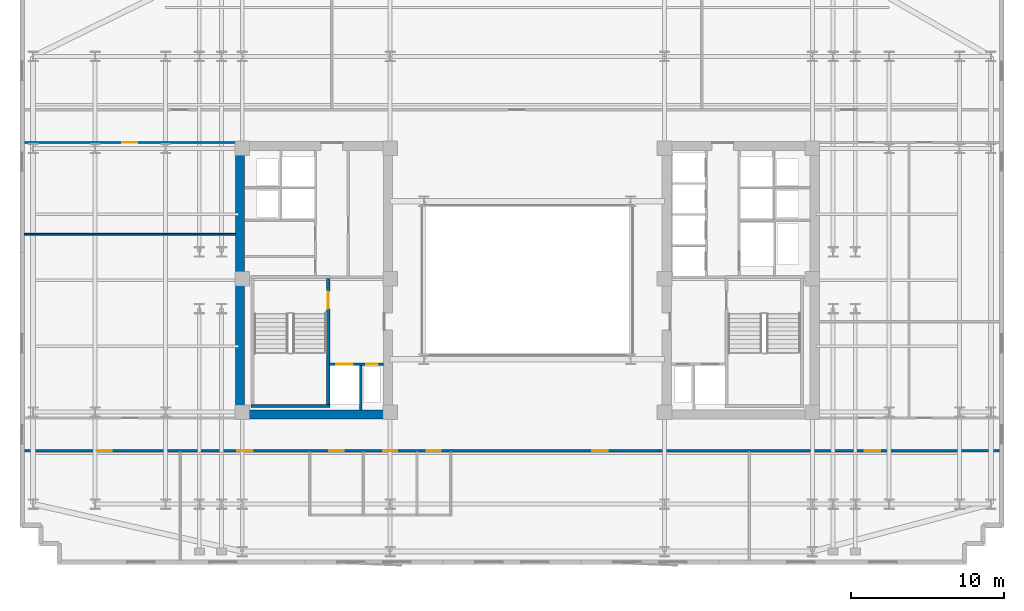
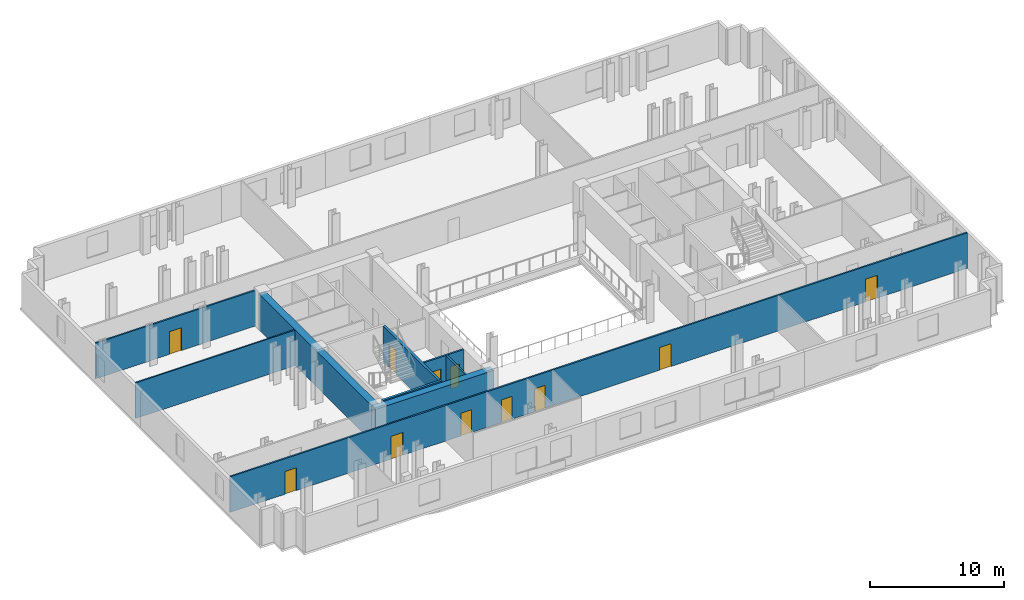
# One storey, part 4 of 10: 11 doors, 9 walls, 11 openings.
"""IFC4 building model written with IfcOpenShell, lengths in metres."""

import ifcopenshell
import ifcopenshell.guid

model = None  # the IFC model being written
_history = None  # IfcOwnerHistory: only IFC2X3 demands one
_inside = {}  # id of a spatial element -> (the spatial element, [elements in it])
_under = {}  # id of a project, library or spatial element -> (it, [spatial elements below it])
_declared = {}  # id of a project -> (the project, [libraries it declares])
_typed = {}  # id of a type object -> (the type object, [elements of that type])
_made_of = {}  # id of a material, layer set ... -> (it, [elements and type objects made of it])


def new_model(schema):
    """Start an empty IFC model of exactly this schema.

    Asked for "IFC4X3", IfcOpenShell would pick the latest addendum, in which some entities
    have other attributes; the version numbers below select the first issue.
    IFC2X3 requires an IfcOwnerHistory on every rooted entity: one is made here for all.
    """
    global model, _history
    if schema == "IFC4X3":
        model = ifcopenshell.file(schema_version=(4, 3, 0, 0))
    else:
        model = ifcopenshell.file(schema=schema)
    _inside.clear()
    _under.clear()
    _declared.clear()
    _typed.clear()
    _made_of.clear()
    _history = None
    if model.schema == "IFC2X3":
        org = make("IfcOrganization", Name="unknown")
        user = make(
            "IfcPersonAndOrganization",
            ThePerson=make("IfcPerson", FamilyName="unknown"),
            TheOrganization=org,
        )
        app = make(
            "IfcApplication",
            ApplicationDeveloper=org,
            Version="unknown",
            ApplicationFullName="unknown",
            ApplicationIdentifier="unknown",
        )
        _history = make(
            "IfcOwnerHistory",
            OwningUser=user,
            OwningApplication=app,
            ChangeAction="ADDED",
            CreationDate=0,
        )
    return model


def make(cls, **values):
    """One entity of the class cls with the attributes given. An attribute that is None is left unset."""
    return model.create_entity(
        cls, **{name: value for name, value in values.items() if value is not None}
    )


def rooted(cls, **values):
    """An entity with a GlobalId (a new one), such as an element, a storey or a relation."""
    return make(cls, GlobalId=ifcopenshell.guid.new(), OwnerHistory=_history, **values)


def si_unit(unit_type, name, prefix=None):
    """IfcSIUnit, for example si_unit("LENGTHUNIT", "METRE", prefix="MILLI")."""
    return make("IfcSIUnit", UnitType=unit_type, Prefix=prefix, Name=name)


def assignment(units):
    """IfcUnitAssignment: the units of a project."""
    return None if units is None else make("IfcUnitAssignment", Units=units)


def point(xyz):
    """IfcCartesianPoint."""
    return None if xyz is None else make("IfcCartesianPoint", Coordinates=xyz)


def direction(xyz):
    """IfcDirection."""
    return None if xyz is None else make("IfcDirection", DirectionRatios=xyz)


def frame(location, z_axis=None, x_axis=None):
    """IfcAxis2Placement3D, a coordinate frame: its origin and axes. An axis left out is left unset."""
    return make(
        "IfcAxis2Placement3D",
        Location=point(location),
        Axis=direction(z_axis),
        RefDirection=direction(x_axis),
    )


def frame_2d(location, x_axis=None):
    """IfcAxis2Placement2D, a coordinate frame in the plane: its origin and x axis."""
    return make(
        "IfcAxis2Placement2D", Location=point(location), RefDirection=direction(x_axis)
    )


def origin():
    """The frame at (0, 0, 0) with its axes left unset."""
    return frame((0.0, 0.0, 0.0))


def place(relative_to, where):
    """IfcLocalPlacement: puts the frame where relative to a parent placement (None: the world)."""
    return make(
        "IfcLocalPlacement", PlacementRelTo=relative_to, RelativePlacement=where
    )


def context(
    kind, dimensions, precision=None, world=None, true_north=None, identifier=None
):
    """IfcGeometricRepresentationContext, for example the 3D "Model" context."""
    return make(
        "IfcGeometricRepresentationContext",
        ContextIdentifier=identifier,
        ContextType=kind,
        CoordinateSpaceDimension=dimensions,
        Precision=precision,
        WorldCoordinateSystem=world,
        TrueNorth=true_north,
    )


def subcontext(parent, identifier, kind, view, scale=None):
    """IfcGeometricRepresentationSubContext, for example "Body" below "Model"."""
    return make(
        "IfcGeometricRepresentationSubContext",
        ContextIdentifier=identifier,
        ContextType=kind,
        ParentContext=parent,
        TargetScale=scale,
        TargetView=view,
    )


def project(units=None, contexts=None):
    """IfcProject with its units and contexts."""
    return rooted(
        "IfcProject",
        Name="project",
        RepresentationContexts=contexts,
        UnitsInContext=assignment(units),
    )


def spatial(cls, under=None, at=None, **own):
    """A site, building, storey or space (cls), placed at a placement, below another one or the project."""
    s = rooted(cls, ObjectPlacement=at, **own)
    if under is not None:
        _under.setdefault(under.id(), (under, []))[1].append(s)
    return s


def profile(cls, at=None, kind="AREA", **sizes):
    """A parametric profile (cls). Its sizes go by their IFC names, for example OverallWidth=200.0."""
    return make(cls, ProfileType=kind, Position=at, **sizes)


def rectangle(**sizes):
    """IfcRectangleProfileDef."""
    return profile("IfcRectangleProfileDef", **sizes)


def extrude(swept, where, along, depth):
    """IfcExtrudedAreaSolid: the profile swept, set in the frame where, extruded along a direction by depth."""
    return make(
        "IfcExtrudedAreaSolid",
        SweptArea=swept,
        Position=where,
        ExtrudedDirection=direction(along),
        Depth=depth,
    )


def shape(context_of_items, identifier, shape_type, items):
    """IfcShapeRepresentation: the items that make up one representation, for example the "Body"."""
    return make(
        "IfcShapeRepresentation",
        ContextOfItems=context_of_items,
        RepresentationIdentifier=identifier,
        RepresentationType=shape_type,
        Items=items,
    )


def material(Name=None, Category=None):
    """IfcMaterial."""
    return make("IfcMaterial", Name=Name, Category=Category)


def layer(
    of_material, thickness, ventilated=None, Name=None, Category=None, Priority=None
):
    """IfcMaterialLayer: one layer of a wall or slab, of a material (None: an air gap)."""
    return make(
        "IfcMaterialLayer",
        Material=of_material,
        LayerThickness=thickness,
        IsVentilated=ventilated,
        Name=Name,
        Category=Category,
        Priority=Priority,
    )


def layer_set(layers, Name=None):
    """IfcMaterialLayerSet."""
    return make("IfcMaterialLayerSet", MaterialLayers=layers, LayerSetName=Name)


def made_of(thing, what):
    """Note that an element or type object is made of a material, layer set ...; save() writes the relation."""
    if what is not None:
        _made_of.setdefault(what.id(), (what, []))[1].append(thing)
    return thing


def type_object(cls, material=None, **own):
    """A type object (cls), such as IfcWallType, which elements share."""
    return made_of(rooted(cls, **own), material)


def element(
    cls,
    number,
    at=None,
    inside=None,
    cuts=None,
    type_object=None,
    material=None,
    context=None,
    identifier="Body",
    shape_type=None,
    held_by="IfcProductDefinitionShape",
    body=None,
    shapes=None,
    **own,
):
    """One element of the class cls, such as IfcWall. Its Tag is "e" and its number.

    at: its placement. inside: the storey or other place that contains it. cuts: it is an
    opening in that element (IfcRelVoidsElement). A single representation is given by context,
    identifier, shape_type and body (its items); several are given by shapes. held_by: the class
    of the entity that holds the representations. save() writes the other relations.
    """
    e = rooted(cls, Tag="e%d" % number, ObjectPlacement=at, **own)
    if body is not None:
        shapes = [shape(context, identifier, shape_type, body)]
    if shapes is not None:
        e.Representation = make(held_by, Representations=shapes)
    if inside is not None:
        _inside.setdefault(inside.id(), (inside, []))[1].append(e)
    if cuts is not None:
        rooted(
            "IfcRelVoidsElement", RelatingBuildingElement=cuts, RelatedOpeningElement=e
        )
    if type_object is not None:
        _typed.setdefault(type_object.id(), (type_object, []))[1].append(e)
    return made_of(e, material)


def fill(opening, filler):
    """IfcRelFillsElement: the door or window that sits in an opening."""
    return rooted(
        "IfcRelFillsElement",
        RelatingOpeningElement=opening,
        RelatedBuildingElement=filler,
    )


def aggregate(whole, parts):
    """IfcRelAggregates: a whole, such as a stair, and the parts it consists of."""
    return rooted("IfcRelAggregates", RelatingObject=whole, RelatedObjects=parts)


def save(model, path):
    """Write the relations noted so far, then the file.

    IfcRelAggregates (storeys below a building ...), IfcRelContainedInSpatialStructure (elements
    in a storey), IfcRelDefinesByType, IfcRelAssociatesMaterial and IfcRelDeclares: one each for
    every whole, place, type object, material and project.
    """
    for whole, parts in _under.values():
        aggregate(whole, parts)
    for where, things in _inside.values():
        rooted(
            "IfcRelContainedInSpatialStructure",
            RelatedElements=things,
            RelatingStructure=where,
        )
    for kind, things in _typed.values():
        rooted("IfcRelDefinesByType", RelatedObjects=things, RelatingType=kind)
    for what, things in _made_of.values():
        rooted("IfcRelAssociatesMaterial", RelatedObjects=things, RelatingMaterial=what)
    for by, libraries in _declared.values():
        rooted("IfcRelDeclares", RelatingContext=by, RelatedDefinitions=libraries)
    model.write(path)


model = new_model("IFC4")

# Units and contexts
model_context = context("Model", 3, precision=1e-05, world=origin(), true_north=direction((0.0, 1.0)))
body_context = subcontext(model_context, "Body", "Model", "MODEL_VIEW")
ifc_project = project(units=[si_unit("LENGTHUNIT", "METRE"), si_unit("AREAUNIT", "SQUARE_METRE"), si_unit("VOLUMEUNIT", "CUBIC_METRE"), si_unit("PLANEANGLEUNIT", "RADIAN"), si_unit("MASSUNIT", "GRAM", prefix="KILO")], contexts=[model_context])

# Site, building, storey
site_placement = place(None, origin())
site = spatial("IfcSite", under=ifc_project, at=site_placement, CompositionType="ELEMENT")
building_placement = place(site_placement, origin())
building = spatial("IfcBuilding", under=site, at=building_placement, Name="Velakula Bourse", CompositionType="ELEMENT")
storey_placement = place(building_placement, frame((0.0, 0.0, 124.300048828125)))
storey = spatial("IfcBuildingStorey", under=building, at=storey_placement, Name="L33", CompositionType="ELEMENT", Elevation=124.300048828125)

# Wall, opening, door
ifc_material_1 = material(Name="Concrete M50 (fck 50 MPa)", Category="concrete")
ifc_layer_1 = layer(ifc_material_1, 0.2099609375, Name="Concrete M50 (fck 50 MPa)", Category="concrete")
ifc_layer_set_1 = layer_set([ifc_layer_1], Name="Concrete M50 (fck 50 MPa)")
wall_type_1 = type_object("IfcWallType", Name="WL-CORE-210", PredefinedType="SHEAR", material=ifc_layer_set_1)
wall_1_placement = place(storey_placement, frame((-12.9951171875, -8.10009765625, 0.0), z_axis=(0.0, 0.0, 1.0), x_axis=(0.0, 1.0, 0.0)))
wall_1 = element("IfcWall", 1, at=wall_1_placement, inside=storey, type_object=wall_type_1, Name="L33 Core W Stairwell Shear Wall IN", PredefinedType="SHEAR", context=body_context, shape_type="SweptSolid", body=[
    extrude(rectangle(XDim=8.2001953125, YDim=0.2099609375, at=frame_2d((4.10009765625, 0.0))), origin(), (0.0, 0.0, 1.0), 3.27001953125),
])
opening_1_placement = place(wall_1_placement, frame((6.25, 0.0, 0.0)))
opening_1 = element("IfcOpeningElement", 2, at=opening_1_placement, cuts=wall_1, Name="Opening D-STW1", PredefinedType="OPENING", context=body_context, shape_type="SweptSolid", body=[
    extrude(rectangle(XDim=1.10009765625, YDim=2.14990234375, at=frame_2d((0.550048828125, 1.074951171875))), frame((0.0, 0.114990234375, 0.0), z_axis=(0.0, -1.0, 0.0), x_axis=(1.0, 0.0, 0.0)), (0.0, 0.0, 1.0), 0.22998046875),
])
ifc_material_2 = material(Name="Galvanised painted hollow steel fire door", Category="steel")
door_type_1 = type_object("IfcDoorType", Name="DR-FD120-1100x2150", OperationType="NOTDEFINED", PredefinedType="DOOR", material=ifc_material_2)
door_1_placement = place(opening_1_placement, origin())
door_1 = element("IfcDoor", 3, at=door_1_placement, inside=storey, type_object=door_type_1, Name="L33 Stair ST-W1 Fire Door", OperationType="SINGLE_SWING_LEFT", OverallHeight=2.14990234375, OverallWidth=1.10009765625, PredefinedType="DOOR", context=body_context, shape_type="SweptSolid", body=[
    extrude(rectangle(XDim=1.10009765625, YDim=2.14990234375, at=frame_2d((0.550048828125, 1.074951171875))), frame((0.0, 0.02490234375, 0.0), z_axis=(0.0, -1.0, 0.0), x_axis=(1.0, 0.0, 0.0)), (0.0, 0.0, 1.0), 0.050048828125),
])
fill(opening_1, door_1)

# Walls
wall_2_placement = place(storey_placement, frame((-18.030029296875, -8.205078125, 0.0), z_axis=(0.0, 0.0, 1.0), x_axis=(1.0, 0.0, 0.0)))
element("IfcWall", 4, at=wall_2_placement, inside=storey, type_object=wall_type_1, Name="L33 Core W Stairwell Shear Wall S", PredefinedType="SHEAR", context=body_context, shape_type="SweptSolid", body=[
    extrude(rectangle(XDim=5.14013671875, YDim=0.2099609375, at=frame_2d((2.570068359375, 0.0))), origin(), (0.0, 0.0, 1.0), 3.27001953125),
])
ifc_material_3 = material(Name="Concrete M70 (fck 70 MPa)", Category="concrete")
ifc_layer_2 = layer(ifc_material_3, 0.60009765625, Name="Concrete M70 (fck 70 MPa)", Category="concrete")
ifc_layer_set_2 = layer_set([ifc_layer_2], Name="Concrete M70 (fck 70 MPa)")
wall_type_2 = type_object("IfcWallType", Name="WL-CORE-600", PredefinedType="SHEAR", material=ifc_layer_set_2)
wall_3_placement = place(storey_placement, frame((-19.050048828125, -8.75, 0.0), z_axis=(0.0, 0.0, 1.0), x_axis=(1.0, 0.0, 0.0)))
element("IfcWall", 5, at=wall_3_placement, inside=storey, type_object=wall_type_2, Name="L33 Core W Shear Wall S", PredefinedType="SHEAR", context=body_context, shape_type="SweptSolid", body=[
    extrude(rectangle(XDim=10.25, YDim=0.60009765625, at=frame_2d((5.125, 0.0))), origin(), (0.0, 0.0, 1.0), 3.27001953125),
])
wall_4_placement = place(storey_placement, frame((-18.75, -8.449951171875, 0.0), z_axis=(0.0, 0.0, 1.0), x_axis=(0.0, 1.0, 0.0)))
element("IfcWall", 6, at=wall_4_placement, inside=storey, type_object=wall_type_2, Name="L33 Core W Shear Wall W", PredefinedType="SHEAR", context=body_context, shape_type="SweptSolid", body=[
    extrude(rectangle(XDim=16.89990234375, YDim=0.60009765625, at=frame_2d((8.449951171875, 0.0))), origin(), (0.0, 0.0, 1.0), 3.27001953125),
])
ifc_material_4 = material(Name="Fire-rated double-layer gypsum drywall partition", Category="gypsum")
ifc_layer_3 = layer(ifc_material_4, 0.1201171875, Name="Fire-rated double-layer gypsum drywall partition", Category="gypsum")
ifc_layer_set_3 = layer_set([ifc_layer_3], Name="Fire-rated double-layer gypsum drywall partition")
wall_type_3 = type_object("IfcWallType", Name="WL-PART-120", PredefinedType="STANDARD", material=ifc_layer_set_3)
wall_5_placement = place(storey_placement, frame((-32.820068359375, 3.0, 0.0), z_axis=(0.0, 0.0, 1.0), x_axis=(1.0, 0.0, 0.0)))
element("IfcWall", 7, at=wall_5_placement, inside=storey, type_object=wall_type_3, Name="L33 Interior Partition WL-INT-L33-W-H", PredefinedType="STANDARD", context=body_context, shape_type="SweptSolid", body=[
    extrude(rectangle(XDim=13.77001953125, YDim=0.1201171875, at=frame_2d((6.885009765625, 0.0))), origin(), (0.0, 0.0, 1.0), 3.25),
])

# Wall, openings, doors
ifc_layer_4 = layer(ifc_material_4, 0.139892578125, Name="Fire-rated double-layer gypsum drywall partition", Category="gypsum")
ifc_layer_set_4 = layer_set([ifc_layer_4], Name="Fire-rated double-layer gypsum drywall partition")
wall_type_4 = type_object("IfcWallType", Name="WL-PART-140", PredefinedType="STANDARD", material=ifc_layer_set_4)
wall_6_placement = place(storey_placement, frame((-32.820068359375, -11.1201171875, 0.0), z_axis=(0.0, 0.0, 1.0), x_axis=(1.0, 0.0, 0.0)))
wall_6 = element("IfcWall", 8, at=wall_6_placement, inside=storey, type_object=wall_type_4, Name="L33 Interior Partition WL-INT-L33-S-CORR", PredefinedType="STANDARD", context=body_context, shape_type="SweptSolid", body=[
    extrude(rectangle(XDim=63.64013671875, YDim=0.139892578125, at=frame_2d((31.820068359375, 0.0))), origin(), (0.0, 0.0, 1.0), 3.25),
])
opening_2_placement = place(wall_6_placement, frame((19.909912109375, 0.0, 0.0)))
opening_2 = element("IfcOpeningElement", 9, at=opening_2_placement, cuts=wall_6, Name="Opening D-WT1", PredefinedType="OPENING", context=body_context, shape_type="SweptSolid", body=[
    extrude(rectangle(XDim=0.919921875, YDim=2.080078125, at=frame_2d((0.4599609375, 1.0400390625))), frame((0.0, 0.079833984375, 0.0), z_axis=(0.0, -1.0, 0.0), x_axis=(1.0, 0.0, 0.0)), (0.0, 0.0, 1.0), 0.159912109375),
])
opening_3_placement = place(wall_6_placement, frame((23.409912109375, 0.0, 0.0)))
opening_3 = element("IfcOpeningElement", 10, at=opening_3_placement, cuts=wall_6, Name="Opening D-WT1", PredefinedType="OPENING", context=body_context, shape_type="SweptSolid", body=[
    extrude(rectangle(XDim=0.919921875, YDim=2.080078125, at=frame_2d((0.4599609375, 1.0400390625))), frame((0.0, 0.079833984375, 0.0), z_axis=(0.0, -1.0, 0.0), x_axis=(1.0, 0.0, 0.0)), (0.0, 0.0, 1.0), 0.159912109375),
])
opening_4_placement = place(wall_6_placement, frame((26.260009765625, 0.0, 0.0)))
opening_4 = element("IfcOpeningElement", 11, at=opening_4_placement, cuts=wall_6, Name="Opening D-WC1", PredefinedType="OPENING", context=body_context, shape_type="SweptSolid", body=[
    extrude(rectangle(XDim=0.919921875, YDim=2.080078125, at=frame_2d((0.4599609375, 1.0400390625))), frame((0.0, 0.079833984375, 0.0), z_axis=(0.0, -1.0, 0.0), x_axis=(1.0, 0.0, 0.0)), (0.0, 0.0, 1.0), 0.159912109375),
])
opening_5_placement = place(wall_6_placement, frame((4.71337890625, 0.0, 0.0)))
opening_5 = element("IfcOpeningElement", 12, at=opening_5_placement, cuts=wall_6, Name="Opening D-OF1", PredefinedType="OPENING", context=body_context, shape_type="SweptSolid", body=[
    extrude(rectangle(XDim=1.0, YDim=2.080078125, at=frame_2d((0.5, 1.0400390625))), frame((0.0, 0.079833984375, 0.0), z_axis=(0.0, -1.0, 0.0), x_axis=(1.0, 0.0, 0.0)), (0.0, 0.0, 1.0), 0.159912109375),
])
opening_6_placement = place(wall_6_placement, frame((13.8974609375, 0.0, 0.0)))
opening_6 = element("IfcOpeningElement", 13, at=opening_6_placement, cuts=wall_6, Name="Opening D-OF1", PredefinedType="OPENING", context=body_context, shape_type="SweptSolid", body=[
    extrude(rectangle(XDim=1.0, YDim=2.080078125, at=frame_2d((0.5, 1.0400390625))), frame((0.0, 0.079833984375, 0.0), z_axis=(0.0, -1.0, 0.0), x_axis=(1.0, 0.0, 0.0)), (0.0, 0.0, 1.0), 0.159912109375),
])
opening_7_placement = place(wall_6_placement, frame((37.064453125, 0.0, 0.0)))
opening_7 = element("IfcOpeningElement", 14, at=opening_7_placement, cuts=wall_6, Name="Opening D-OF1", PredefinedType="OPENING", context=body_context, shape_type="SweptSolid", body=[
    extrude(rectangle(XDim=1.0, YDim=2.080078125, at=frame_2d((0.5, 1.0400390625))), frame((0.0, 0.079833984375, 0.0), z_axis=(0.0, -1.0, 0.0), x_axis=(1.0, 0.0, 0.0)), (0.0, 0.0, 1.0), 0.159912109375),
])
opening_8_placement = place(wall_6_placement, frame((54.848388671875, 0.0, 0.0)))
opening_8 = element("IfcOpeningElement", 15, at=opening_8_placement, cuts=wall_6, Name="Opening D-OF1", PredefinedType="OPENING", context=body_context, shape_type="SweptSolid", body=[
    extrude(rectangle(XDim=1.0, YDim=2.080078125, at=frame_2d((0.5, 1.0400390625))), frame((0.0, 0.079833984375, 0.0), z_axis=(0.0, -1.0, 0.0), x_axis=(1.0, 0.0, 0.0)), (0.0, 0.0, 1.0), 0.159912109375),
])
ifc_material_5 = material(Name="Fire-rated hardwood flush architectural door", Category="wood")
door_type_2 = type_object("IfcDoorType", Name="DR-OFF-1000", OperationType="NOTDEFINED", PredefinedType="DOOR", material=ifc_material_5)
door_2_placement = place(opening_5_placement, origin())
door_2 = element("IfcDoor", 16, at=door_2_placement, inside=storey, type_object=door_type_2, Name="L33 Quiet Financial Library Door", OperationType="SINGLE_SWING_LEFT", OverallHeight=2.080078125, OverallWidth=1.0, PredefinedType="DOOR", context=body_context, shape_type="SweptSolid", body=[
    extrude(rectangle(XDim=1.0, YDim=2.080078125, at=frame_2d((0.5, 1.0400390625))), frame((0.0, 0.02490234375, 0.0), z_axis=(0.0, -1.0, 0.0), x_axis=(1.0, 0.0, 0.0)), (0.0, 0.0, 1.0), 0.050048828125),
])
fill(opening_5, door_2)
door_3_placement = place(opening_6_placement, origin())
door_3 = element("IfcDoor", 17, at=door_3_placement, inside=storey, type_object=door_type_2, Name="L33 Margin Control Office Door", OperationType="SINGLE_SWING_RIGHT", OverallHeight=2.080078125, OverallWidth=1.0, PredefinedType="DOOR", context=body_context, shape_type="SweptSolid", body=[
    extrude(rectangle(XDim=1.0, YDim=2.080078125, at=frame_2d((0.5, 1.0400390625))), frame((0.0, 0.02490234375, 0.0), z_axis=(0.0, -1.0, 0.0), x_axis=(1.0, 0.0, 0.0)), (0.0, 0.0, 1.0), 0.050048828125),
])
fill(opening_6, door_3)
door_4_placement = place(opening_7_placement, origin())
door_4 = element("IfcDoor", 18, at=door_4_placement, inside=storey, type_object=door_type_2, Name="L33 Peer Review Boardroom Door", OperationType="SINGLE_SWING_LEFT", OverallHeight=2.080078125, OverallWidth=1.0, PredefinedType="DOOR", context=body_context, shape_type="SweptSolid", body=[
    extrude(rectangle(XDim=1.0, YDim=2.080078125, at=frame_2d((0.5, 1.0400390625))), frame((0.0, 0.02490234375, 0.0), z_axis=(0.0, -1.0, 0.0), x_axis=(1.0, 0.0, 0.0)), (0.0, 0.0, 1.0), 0.050048828125),
])
fill(opening_7, door_4)
door_5_placement = place(opening_8_placement, origin())
door_5 = element("IfcDoor", 19, at=door_5_placement, inside=storey, type_object=door_type_2, Name="L33 Catering Servery Pantry Door", OperationType="SINGLE_SWING_RIGHT", OverallHeight=2.080078125, OverallWidth=1.0, PredefinedType="DOOR", context=body_context, shape_type="SweptSolid", body=[
    extrude(rectangle(XDim=1.0, YDim=2.080078125, at=frame_2d((0.5, 1.0400390625))), frame((0.0, 0.02490234375, 0.0), z_axis=(0.0, -1.0, 0.0), x_axis=(1.0, 0.0, 0.0)), (0.0, 0.0, 1.0), 0.050048828125),
])
fill(opening_8, door_5)
door_type_3 = type_object("IfcDoorType", Name="DR-WC-950", OperationType="NOTDEFINED", PredefinedType="DOOR", material=ifc_material_5)
door_6_placement = place(opening_2_placement, origin())
door_6 = element("IfcDoor", 20, at=door_6_placement, inside=storey, type_object=door_type_3, Name="L33 Male Staff Toilet Door", OperationType="SINGLE_SWING_RIGHT", OverallHeight=2.080078125, OverallWidth=0.919921875, PredefinedType="DOOR", context=body_context, shape_type="SweptSolid", body=[
    extrude(rectangle(XDim=0.919921875, YDim=2.080078125, at=frame_2d((0.4599609375, 1.0400390625))), frame((0.0, 0.02490234375, 0.0), z_axis=(0.0, -1.0, 0.0), x_axis=(1.0, 0.0, 0.0)), (0.0, 0.0, 1.0), 0.050048828125),
])
fill(opening_2, door_6)
door_7_placement = place(opening_3_placement, origin())
door_7 = element("IfcDoor", 21, at=door_7_placement, inside=storey, type_object=door_type_3, Name="L33 Female Staff Toilet Door", OperationType="SINGLE_SWING_LEFT", OverallHeight=2.080078125, OverallWidth=0.919921875, PredefinedType="DOOR", context=body_context, shape_type="SweptSolid", body=[
    extrude(rectangle(XDim=0.919921875, YDim=2.080078125, at=frame_2d((0.4599609375, 1.0400390625))), frame((0.0, 0.02490234375, 0.0), z_axis=(0.0, -1.0, 0.0), x_axis=(1.0, 0.0, 0.0)), (0.0, 0.0, 1.0), 0.050048828125),
])
fill(opening_3, door_7)
door_8_placement = place(opening_4_placement, origin())
door_8 = element("IfcDoor", 22, at=door_8_placement, inside=storey, type_object=door_type_3, Name="L33 Accessible WC Door", OperationType="SINGLE_SWING_RIGHT", OverallHeight=2.080078125, OverallWidth=0.919921875, PredefinedType="DOOR", context=body_context, shape_type="SweptSolid", body=[
    extrude(rectangle(XDim=0.919921875, YDim=2.080078125, at=frame_2d((0.4599609375, 1.0400390625))), frame((0.0, 0.02490234375, 0.0), z_axis=(0.0, -1.0, 0.0), x_axis=(1.0, 0.0, 0.0)), (0.0, 0.0, 1.0), 0.050048828125),
])
fill(opening_4, door_8)

# Wall, opening, door
wall_7_placement = place(storey_placement, frame((-32.820068359375, 8.97998046875, 0.0), z_axis=(0.0, 0.0, 1.0), x_axis=(1.0, 0.0, 0.0)))
wall_7 = element("IfcWall", 23, at=wall_7_placement, inside=storey, type_object=wall_type_4, Name="L33 Interior Partition WL-INT-L33-W-NC", PredefinedType="STANDARD", context=body_context, shape_type="SweptSolid", body=[
    extrude(rectangle(XDim=13.77001953125, YDim=0.139892578125, at=frame_2d((6.885009765625, 0.0))), origin(), (0.0, 0.0, 1.0), 3.25),
])
opening_9_placement = place(wall_7_placement, frame((6.385009765625, 0.0, 0.0)))
opening_9 = element("IfcOpeningElement", 24, at=opening_9_placement, cuts=wall_7, Name="Opening D-OF1", PredefinedType="OPENING", context=body_context, shape_type="SweptSolid", body=[
    extrude(rectangle(XDim=1.0, YDim=2.080078125, at=frame_2d((0.5, 1.0400390625))), frame((0.0, 0.079833984375, 0.0), z_axis=(0.0, -1.0, 0.0), x_axis=(1.0, 0.0, 0.0)), (0.0, 0.0, 1.0), 0.159912109375),
])
door_9_placement = place(opening_9_placement, origin())
door_9 = element("IfcDoor", 25, at=door_9_placement, inside=storey, type_object=door_type_2, Name="L33 Legal Counsel Office Door", OperationType="SINGLE_SWING_LEFT", OverallHeight=2.080078125, OverallWidth=1.0, PredefinedType="DOOR", context=body_context, shape_type="SweptSolid", body=[
    extrude(rectangle(XDim=1.0, YDim=2.080078125, at=frame_2d((0.5, 1.0400390625))), frame((0.0, 0.02490234375, 0.0), z_axis=(0.0, -1.0, 0.0), x_axis=(1.0, 0.0, 0.0)), (0.0, 0.0, 1.0), 0.050048828125),
])
fill(opening_9, door_9)

# Wall, openings, doors
ifc_material_6 = material(Name="Autoclaved aerated concrete blockwork masonry", Category="masonry")
ifc_layer_5 = layer(ifc_material_6, 0.14990234375, Name="Autoclaved aerated concrete blockwork masonry", Category="masonry")
ifc_layer_set_5 = layer_set([ifc_layer_5], Name="Autoclaved aerated concrete blockwork masonry")
wall_type_5 = type_object("IfcWallType", Name="WL-SHAFT-150", PredefinedType="STANDARD", material=ifc_layer_set_5)
wall_8_placement = place(storey_placement, frame((-12.89501953125, -5.47509765625, 0.0), z_axis=(0.0, 0.0, 1.0), x_axis=(1.0, 0.0, 0.0)))
wall_8 = element("IfcWall", 26, at=wall_8_placement, inside=storey, type_object=wall_type_5, Name="L33 Interior Partition WL-CRW-L33-FFL-N", PredefinedType="STANDARD", context=body_context, shape_type="SweptSolid", body=[
    extrude(rectangle(XDim=3.4951171875, YDim=0.14990234375, at=frame_2d((1.74755859375, 0.0))), origin(), (0.0, 0.0, 1.0), 3.25),
])
opening_10_placement = place(wall_8_placement, frame((0.419921875, 0.0, 0.0)))
opening_10 = element("IfcOpeningElement", 27, at=opening_10_placement, cuts=wall_8, Name="Opening LD-FFL-1", PredefinedType="OPENING", context=body_context, shape_type="SweptSolid", body=[
    extrude(rectangle(XDim=1.10009765625, YDim=2.14990234375, at=frame_2d((0.550048828125, 1.074951171875))), frame((0.0, 0.0849609375, 0.0), z_axis=(0.0, -1.0, 0.0), x_axis=(1.0, 0.0, 0.0)), (0.0, 0.0, 1.0), 0.169921875),
])
opening_11_placement = place(wall_8_placement, frame((2.3701171875, 0.0, 0.0)))
opening_11 = element("IfcOpeningElement", 28, at=opening_11_placement, cuts=wall_8, Name="Opening D-RS1", PredefinedType="OPENING", context=body_context, shape_type="SweptSolid", body=[
    extrude(rectangle(XDim=0.75, YDim=2.050048828125, at=frame_2d((0.375, 1.02490234375))), frame((0.0, 0.0849609375, 0.0), z_axis=(0.0, -1.0, 0.0), x_axis=(1.0, 0.0, 0.0)), (0.0, 0.0, 1.0), 0.169921875),
])
door_type_4 = type_object("IfcDoorType", Name="DR-RISER-800", OperationType="NOTDEFINED", PredefinedType="DOOR", material=ifc_material_2)
door_10_placement = place(opening_11_placement, origin())
door_10 = element("IfcDoor", 29, at=door_10_placement, inside=storey, type_object=door_type_4, Name="L33 Fire Riser Access Door", OperationType="SINGLE_SWING_LEFT", OverallHeight=2.050048828125, OverallWidth=0.75, PredefinedType="DOOR", context=body_context, shape_type="SweptSolid", body=[
    extrude(rectangle(XDim=0.75, YDim=2.050048828125, at=frame_2d((0.375, 1.02490234375))), frame((0.0, 0.02490234375, 0.0), z_axis=(0.0, -1.0, 0.0), x_axis=(1.0, 0.0, 0.0)), (0.0, 0.0, 1.0), 0.050048828125),
])
fill(opening_11, door_10)
ifc_material_7 = material(Name="Brushed grade 316 stainless steel", Category="steel")
door_type_5 = type_object("IfcDoorType", Name="DR-SLIDE-FFL-1100", OperationType="DOUBLE_DOOR_SLIDING", PredefinedType="DOOR", material=ifc_material_7)
door_11_placement = place(opening_10_placement, origin())
door_11 = element("IfcDoor", 30, at=door_11_placement, inside=storey, type_object=door_type_5, Name="L33 Firefighting Lift FFL-1 Sliding Landing Door", OperationType="DOUBLE_DOOR_SLIDING", OverallHeight=2.14990234375, OverallWidth=1.10009765625, PredefinedType="DOOR", context=body_context, shape_type="SweptSolid", body=[
    extrude(rectangle(XDim=1.10009765625, YDim=2.14990234375, at=frame_2d((0.550048828125, 1.074951171875))), frame((0.0, 0.02490234375, 0.0), z_axis=(0.0, -1.0, 0.0), x_axis=(1.0, 0.0, 0.0)), (0.0, 0.0, 1.0), 0.050048828125),
])
fill(opening_10, door_11)

# Wall
wall_9_placement = place(storey_placement, frame((-10.875, -8.449951171875, 0.0), z_axis=(0.0, 0.0, 1.0), x_axis=(0.0, 1.0, 0.0)))
element("IfcWall", 31, at=wall_9_placement, inside=storey, type_object=wall_type_5, Name="L33 Interior Partition WL-CRW-L33-FR-DIV", PredefinedType="STANDARD", context=body_context, shape_type="SweptSolid", body=[
    extrude(rectangle(XDim=2.89990234375, YDim=0.14990234375, at=frame_2d((1.449951171875, 0.0))), origin(), (0.0, 0.0, 1.0), 3.25),
])

save(model, "model.ifc")
